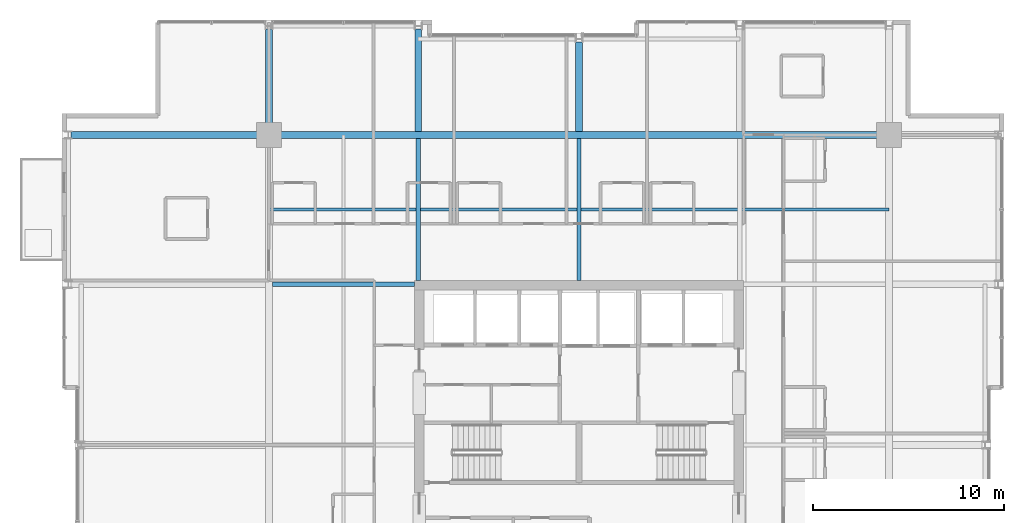
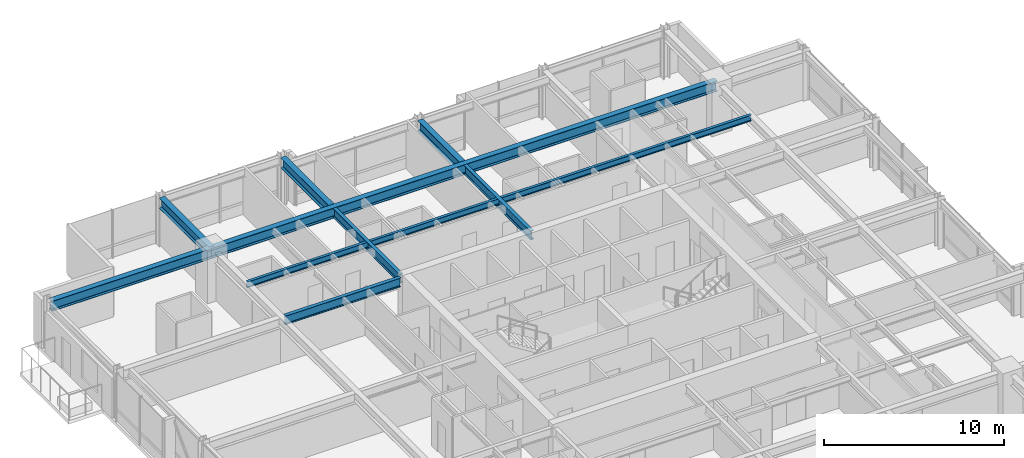
# One storey, part 18 of 32: 9 beams.
"""IFC4 building model written with IfcOpenShell, lengths in metres."""

import ifcopenshell
import ifcopenshell.guid

model = None  # the IFC model being written
_history = None  # IfcOwnerHistory: only IFC2X3 demands one
_inside = {}  # id of a spatial element -> (the spatial element, [elements in it])
_under = {}  # id of a project, library or spatial element -> (it, [spatial elements below it])
_declared = {}  # id of a project -> (the project, [libraries it declares])
_typed = {}  # id of a type object -> (the type object, [elements of that type])
_made_of = {}  # id of a material, layer set ... -> (it, [elements and type objects made of it])


def new_model(schema):
    """Start an empty IFC model of exactly this schema.

    Asked for "IFC4X3", IfcOpenShell would pick the latest addendum, in which some entities
    have other attributes; the version numbers below select the first issue.
    IFC2X3 requires an IfcOwnerHistory on every rooted entity: one is made here for all.
    """
    global model, _history
    if schema == "IFC4X3":
        model = ifcopenshell.file(schema_version=(4, 3, 0, 0))
    else:
        model = ifcopenshell.file(schema=schema)
    _inside.clear()
    _under.clear()
    _declared.clear()
    _typed.clear()
    _made_of.clear()
    _history = None
    if model.schema == "IFC2X3":
        org = make("IfcOrganization", Name="unknown")
        user = make(
            "IfcPersonAndOrganization",
            ThePerson=make("IfcPerson", FamilyName="unknown"),
            TheOrganization=org,
        )
        app = make(
            "IfcApplication",
            ApplicationDeveloper=org,
            Version="unknown",
            ApplicationFullName="unknown",
            ApplicationIdentifier="unknown",
        )
        _history = make(
            "IfcOwnerHistory",
            OwningUser=user,
            OwningApplication=app,
            ChangeAction="ADDED",
            CreationDate=0,
        )
    return model


def make(cls, **values):
    """One entity of the class cls with the attributes given. An attribute that is None is left unset."""
    return model.create_entity(
        cls, **{name: value for name, value in values.items() if value is not None}
    )


def rooted(cls, **values):
    """An entity with a GlobalId (a new one), such as an element, a storey or a relation."""
    return make(cls, GlobalId=ifcopenshell.guid.new(), OwnerHistory=_history, **values)


def si_unit(unit_type, name, prefix=None):
    """IfcSIUnit, for example si_unit("LENGTHUNIT", "METRE", prefix="MILLI")."""
    return make("IfcSIUnit", UnitType=unit_type, Prefix=prefix, Name=name)


def assignment(units):
    """IfcUnitAssignment: the units of a project."""
    return None if units is None else make("IfcUnitAssignment", Units=units)


def point(xyz):
    """IfcCartesianPoint."""
    return None if xyz is None else make("IfcCartesianPoint", Coordinates=xyz)


def direction(xyz):
    """IfcDirection."""
    return None if xyz is None else make("IfcDirection", DirectionRatios=xyz)


def frame(location, z_axis=None, x_axis=None):
    """IfcAxis2Placement3D, a coordinate frame: its origin and axes. An axis left out is left unset."""
    return make(
        "IfcAxis2Placement3D",
        Location=point(location),
        Axis=direction(z_axis),
        RefDirection=direction(x_axis),
    )


def frame_2d(location, x_axis=None):
    """IfcAxis2Placement2D, a coordinate frame in the plane: its origin and x axis."""
    return make(
        "IfcAxis2Placement2D", Location=point(location), RefDirection=direction(x_axis)
    )


def origin():
    """The frame at (0, 0, 0) with its axes left unset."""
    return frame((0.0, 0.0, 0.0))


def origin_2d():
    """The frame at (0, 0) in the plane with its x axis left unset."""
    return frame_2d((0.0, 0.0))


def place(relative_to, where):
    """IfcLocalPlacement: puts the frame where relative to a parent placement (None: the world)."""
    return make(
        "IfcLocalPlacement", PlacementRelTo=relative_to, RelativePlacement=where
    )


def context(
    kind, dimensions, precision=None, world=None, true_north=None, identifier=None
):
    """IfcGeometricRepresentationContext, for example the 3D "Model" context."""
    return make(
        "IfcGeometricRepresentationContext",
        ContextIdentifier=identifier,
        ContextType=kind,
        CoordinateSpaceDimension=dimensions,
        Precision=precision,
        WorldCoordinateSystem=world,
        TrueNorth=true_north,
    )


def subcontext(parent, identifier, kind, view, scale=None):
    """IfcGeometricRepresentationSubContext, for example "Body" below "Model"."""
    return make(
        "IfcGeometricRepresentationSubContext",
        ContextIdentifier=identifier,
        ContextType=kind,
        ParentContext=parent,
        TargetScale=scale,
        TargetView=view,
    )


def project(units=None, contexts=None):
    """IfcProject with its units and contexts."""
    return rooted(
        "IfcProject",
        Name="project",
        RepresentationContexts=contexts,
        UnitsInContext=assignment(units),
    )


def spatial(cls, under=None, at=None, **own):
    """A site, building, storey or space (cls), placed at a placement, below another one or the project."""
    s = rooted(cls, ObjectPlacement=at, **own)
    if under is not None:
        _under.setdefault(under.id(), (under, []))[1].append(s)
    return s


def profile(cls, at=None, kind="AREA", **sizes):
    """A parametric profile (cls). Its sizes go by their IFC names, for example OverallWidth=200.0."""
    return make(cls, ProfileType=kind, Position=at, **sizes)


def i_section(**sizes):
    """IfcIShapeProfileDef."""
    return profile("IfcIShapeProfileDef", **sizes)


def extrude(swept, where, along, depth):
    """IfcExtrudedAreaSolid: the profile swept, set in the frame where, extruded along a direction by depth."""
    return make(
        "IfcExtrudedAreaSolid",
        SweptArea=swept,
        Position=where,
        ExtrudedDirection=direction(along),
        Depth=depth,
    )


def shape(context_of_items, identifier, shape_type, items):
    """IfcShapeRepresentation: the items that make up one representation, for example the "Body"."""
    return make(
        "IfcShapeRepresentation",
        ContextOfItems=context_of_items,
        RepresentationIdentifier=identifier,
        RepresentationType=shape_type,
        Items=items,
    )


def material(Name=None, Category=None):
    """IfcMaterial."""
    return make("IfcMaterial", Name=Name, Category=Category)


def material_profile(
    of_material, cross_section, Name=None, Category=None, Priority=None
):
    """IfcMaterialProfile: a cross section and its material."""
    return make(
        "IfcMaterialProfile",
        Name=Name,
        Material=of_material,
        Profile=cross_section,
        Priority=Priority,
        Category=Category,
    )


def profile_set(profiles, Name=None, composite=None):
    """IfcMaterialProfileSet."""
    return make(
        "IfcMaterialProfileSet",
        Name=Name,
        MaterialProfiles=profiles,
        CompositeProfile=composite,
    )


def made_of(thing, what):
    """Note that an element or type object is made of a material, layer set ...; save() writes the relation."""
    if what is not None:
        _made_of.setdefault(what.id(), (what, []))[1].append(thing)
    return thing


def type_object(cls, material=None, **own):
    """A type object (cls), such as IfcWallType, which elements share."""
    return made_of(rooted(cls, **own), material)


def element(
    cls,
    number,
    at=None,
    inside=None,
    cuts=None,
    type_object=None,
    material=None,
    context=None,
    identifier="Body",
    shape_type=None,
    held_by="IfcProductDefinitionShape",
    body=None,
    shapes=None,
    **own,
):
    """One element of the class cls, such as IfcWall. Its Tag is "e" and its number.

    at: its placement. inside: the storey or other place that contains it. cuts: it is an
    opening in that element (IfcRelVoidsElement). A single representation is given by context,
    identifier, shape_type and body (its items); several are given by shapes. held_by: the class
    of the entity that holds the representations. save() writes the other relations.
    """
    e = rooted(cls, Tag="e%d" % number, ObjectPlacement=at, **own)
    if body is not None:
        shapes = [shape(context, identifier, shape_type, body)]
    if shapes is not None:
        e.Representation = make(held_by, Representations=shapes)
    if inside is not None:
        _inside.setdefault(inside.id(), (inside, []))[1].append(e)
    if cuts is not None:
        rooted(
            "IfcRelVoidsElement", RelatingBuildingElement=cuts, RelatedOpeningElement=e
        )
    if type_object is not None:
        _typed.setdefault(type_object.id(), (type_object, []))[1].append(e)
    return made_of(e, material)


def aggregate(whole, parts):
    """IfcRelAggregates: a whole, such as a stair, and the parts it consists of."""
    return rooted("IfcRelAggregates", RelatingObject=whole, RelatedObjects=parts)


def save(model, path):
    """Write the relations noted so far, then the file.

    IfcRelAggregates (storeys below a building ...), IfcRelContainedInSpatialStructure (elements
    in a storey), IfcRelDefinesByType, IfcRelAssociatesMaterial and IfcRelDeclares: one each for
    every whole, place, type object, material and project.
    """
    for whole, parts in _under.values():
        aggregate(whole, parts)
    for where, things in _inside.values():
        rooted(
            "IfcRelContainedInSpatialStructure",
            RelatedElements=things,
            RelatingStructure=where,
        )
    for kind, things in _typed.values():
        rooted("IfcRelDefinesByType", RelatedObjects=things, RelatingType=kind)
    for what, things in _made_of.values():
        rooted("IfcRelAssociatesMaterial", RelatedObjects=things, RelatingMaterial=what)
    for by, libraries in _declared.values():
        rooted("IfcRelDeclares", RelatingContext=by, RelatedDefinitions=libraries)
    model.write(path)


model = new_model("IFC4")

# Units and contexts
model_context = context("Model", 3, precision=1e-05, world=origin(), true_north=direction((0.0, 1.0)))
body_context = subcontext(model_context, "Body", "Model", "MODEL_VIEW")
ifc_project = project(units=[si_unit("LENGTHUNIT", "METRE"), si_unit("AREAUNIT", "SQUARE_METRE"), si_unit("VOLUMEUNIT", "CUBIC_METRE"), si_unit("PLANEANGLEUNIT", "RADIAN"), si_unit("MASSUNIT", "GRAM", prefix="KILO")], contexts=[model_context])

# Site, building, storey
site_placement = place(None, origin())
site = spatial("IfcSite", under=ifc_project, at=site_placement, CompositionType="ELEMENT")
building_placement = place(site_placement, origin())
building = spatial("IfcBuilding", under=site, at=building_placement, Name="Drelvath Grand Hotel", CompositionType="ELEMENT")
storey_placement = place(building_placement, frame((0.0, 0.0, 189.449951171875)))
storey = spatial("IfcBuildingStorey", under=building, at=storey_placement, Name="L49", CompositionType="ELEMENT", Elevation=189.449951171875)

# Beams
ifc_material = material(Name="Steel ASTM A992 Gr 50", Category="steel")
ifc_material_profile_1 = material_profile(ifc_material, i_section(OverallWidth=0.177734375, OverallDepth=0.40673828125, WebThickness=0.0078125, FlangeThickness=0.0126953125, FilletRadius=0.014892578125, at=origin_2d()), Name="W16X40")
ifc_profile_set_1 = profile_set([ifc_material_profile_1], Name="Steel ASTM A992 Gr 50")
beam_type_1 = type_object("IfcBeamType", Name="Composite Floor Joist W16X40", PredefinedType="JOIST", material=ifc_profile_set_1)
beam_1_placement = place(storey_placement, frame((-16.199951171875, 39.300048828125, 3.086669921875), z_axis=(1.0, 0.0, 0.0), x_axis=(0.0, 1.0, 0.0)))
element("IfcBeam", 1, at=beam_1_placement, inside=storey, type_object=beam_type_1, Name="L49 Floor Joist J2", PredefinedType="JOIST", context=body_context, shape_type="SweptSolid", body=[
    extrude(i_section(OverallWidth=0.177734375, OverallDepth=0.40673828125, WebThickness=0.0078125, FlangeThickness=0.0126953125, FilletRadius=0.014892578125, at=origin_2d()), origin(), (0.0, 0.0, 1.0), 32.39990234375),
])
ifc_material_profile_2 = material_profile(ifc_material, i_section(OverallWidth=0.228271484375, OverallDepth=0.607666015625, WebThickness=0.01123046875, FlangeThickness=0.017333984375, FilletRadius=0.02001953125, at=origin_2d()), Name="W24X76")
ifc_profile_set_2 = profile_set([ifc_material_profile_2], Name="Steel ASTM A992 Gr 50")
beam_type_2 = type_object("IfcBeamType", Name="Primary Floor Girder W24X76", PredefinedType="BEAM", material=ifc_profile_set_2)
for number, where, z_axis, x_axis, name in (
    (2, (-16.022705078125, 35.39990234375, 2.986328125), (1.0, 0.0, 0.0), (0.0, 1.0, 0.0), "L49 West Core Tie F"),
    (3, (-8.39990234375, 35.60009765625, 2.986328125), (0.0, 1.0, 0.0), (-1.0, 0.0, 0.0), "L49 North Core Tie 4"),
    (4, (0.0, 35.60009765625, 2.986328125), (0.0, 1.0, 0.0), (-1.0, 0.0, 0.0), "L49 North Core Tie 5"),
):
    element("IfcBeam", number, at=place(storey_placement, frame(where, z_axis=z_axis, x_axis=x_axis)), inside=storey, type_object=beam_type_2, Name=name, PredefinedType="BEAM", context=body_context, shape_type="SweptSolid", body=[
        extrude(i_section(OverallWidth=0.228271484375, OverallDepth=0.607666015625, WebThickness=0.01123046875, FlangeThickness=0.017333984375, FilletRadius=0.02001953125, at=origin_2d()), origin(), (0.0, 0.0, 1.0), 7.422607421875),
    ])
ifc_material_profile_3 = material_profile(ifc_material, i_section(OverallWidth=0.354736328125, OverallDepth=0.695556640625, WebThickness=0.015380859375, FlangeThickness=0.025146484375, FilletRadius=0.02392578125, at=origin_2d()), Name="W27X146")
ifc_profile_set_3 = profile_set([ifc_material_profile_3], Name="Steel ASTM A992 Gr 50")
beam_type_3 = type_object("IfcBeamType", Name="Primary Floor Girder W27X146", PredefinedType="BEAM", material=ifc_profile_set_3)
beam_2_placement = place(storey_placement, frame((-16.199951171875, 43.199951171875, 2.9423828125), z_axis=(1.0, 0.0, 0.0), x_axis=(0.0, 1.0, 0.0)))
element("IfcBeam", 5, at=beam_2_placement, inside=storey, type_object=beam_type_3, Name="L49 Mega Ring Girder North", PredefinedType="BEAM", context=body_context, shape_type="SweptSolid", body=[
    extrude(i_section(OverallWidth=0.354736328125, OverallDepth=0.695556640625, WebThickness=0.015380859375, FlangeThickness=0.025146484375, FilletRadius=0.02392578125, at=origin_2d()), origin(), (0.0, 0.0, 1.0), 32.39990234375),
])
beam_3_placement = place(storey_placement, frame((-26.5400390625, 43.199951171875, 2.9423828125), z_axis=(1.0, 0.0, 0.0), x_axis=(0.0, 1.0, 0.0)))
element("IfcBeam", 6, at=beam_3_placement, inside=storey, type_object=beam_type_3, Name="L49 West Grid Girder G", PredefinedType="BEAM", context=body_context, shape_type="SweptSolid", body=[
    extrude(i_section(OverallWidth=0.354736328125, OverallDepth=0.695556640625, WebThickness=0.015380859375, FlangeThickness=0.025146484375, FilletRadius=0.02392578125, at=origin_2d()), origin(), (0.0, 0.0, 1.0), 10.340087890625),
])
beam_4_placement = place(storey_placement, frame((-16.199951171875, 43.199951171875, 2.9423828125), z_axis=(0.0, 1.0, 0.0), x_axis=(-1.0, 0.0, 0.0)))
element("IfcBeam", 7, at=beam_4_placement, inside=storey, type_object=beam_type_3, Name="L49 North Grid Girder 3", PredefinedType="BEAM", context=body_context, shape_type="SweptSolid", body=[
    extrude(i_section(OverallWidth=0.354736328125, OverallDepth=0.695556640625, WebThickness=0.015380859375, FlangeThickness=0.025146484375, FilletRadius=0.02392578125, at=origin_2d()), origin(), (0.0, 0.0, 1.0), 5.5400390625),
])
beam_5_placement = place(storey_placement, frame((-8.39990234375, 43.37744140625, 2.9423828125), z_axis=(0.0, 1.0, 0.0), x_axis=(-1.0, 0.0, 0.0)))
element("IfcBeam", 8, at=beam_5_placement, inside=storey, type_object=beam_type_3, Name="L49 North Wing Girder 4", PredefinedType="BEAM", context=body_context, shape_type="SweptSolid", body=[
    extrude(i_section(OverallWidth=0.354736328125, OverallDepth=0.695556640625, WebThickness=0.015380859375, FlangeThickness=0.025146484375, FilletRadius=0.02392578125, at=origin_2d()), origin(), (0.0, 0.0, 1.0), 5.362548828125),
])
beam_6_placement = place(storey_placement, frame((0.0, 43.37744140625, 2.9423828125), z_axis=(0.0, 1.0, 0.0), x_axis=(-1.0, 0.0, 0.0)))
element("IfcBeam", 9, at=beam_6_placement, inside=storey, type_object=beam_type_3, Name="L49 North Wing Girder 5", PredefinedType="BEAM", context=body_context, shape_type="SweptSolid", body=[
    extrude(i_section(OverallWidth=0.354736328125, OverallDepth=0.695556640625, WebThickness=0.015380859375, FlangeThickness=0.025146484375, FilletRadius=0.02392578125, at=origin_2d()), origin(), (0.0, 0.0, 1.0), 4.6826171875),
])

save(model, "model.ifc")
